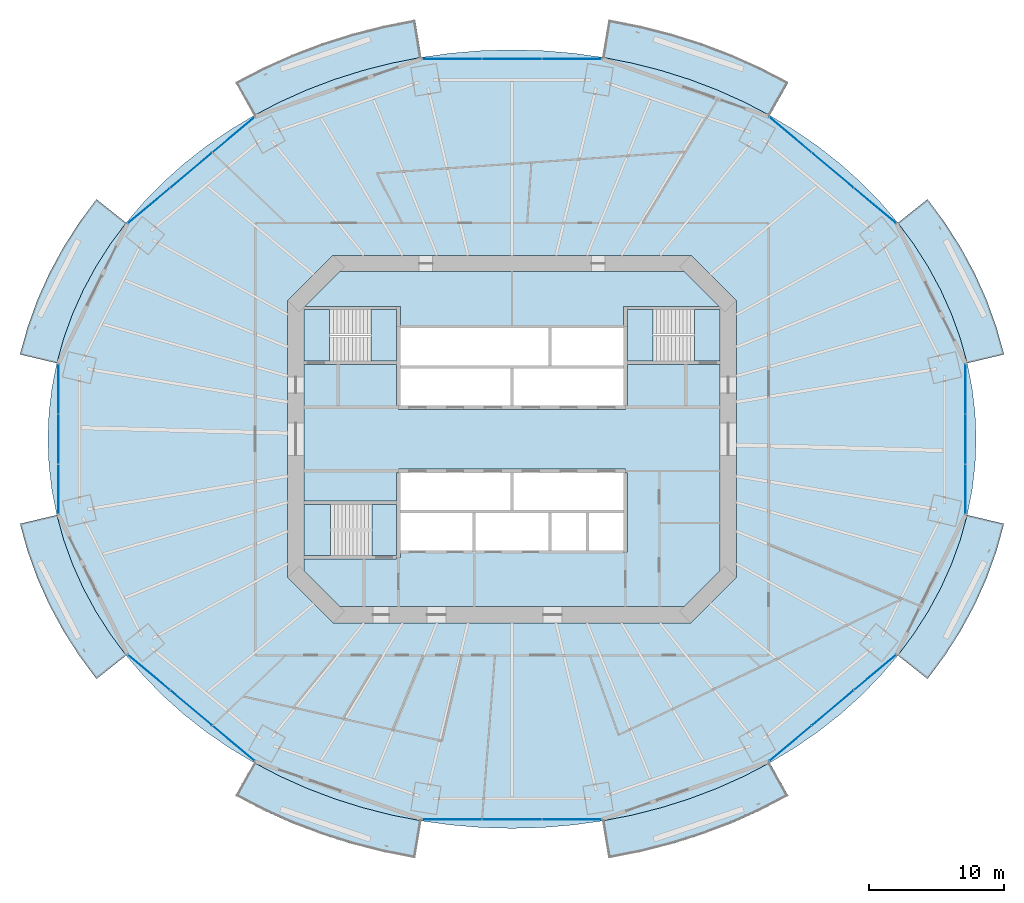
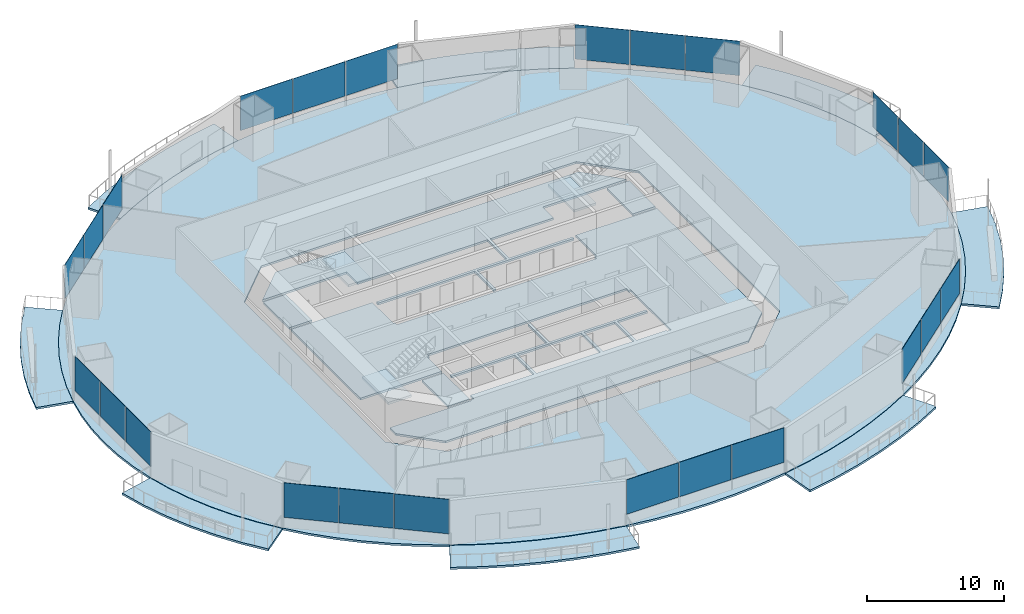
# One storey, part 12 of 22: 24 plates, 17 slabs, 11 elements without a shape of their own.
"""IFC4 building model written with IfcOpenShell, lengths in metres."""

from ifc_helpers import new_model, si_unit, direction, frame, origin, origin_2d, place, context, subcontext, project, spatial, polyline, rectangle, outline, extrude, material, layer, layer_set, type_object, element, aggregate, save


model = new_model("IFC4")

# Units and contexts
model_context = context("Model", 3, precision=1e-05, world=origin(), true_north=direction((0.0, 1.0)))
body_context = subcontext(model_context, "Body", "Model", "MODEL_VIEW")
ifc_project = project(units=[si_unit("LENGTHUNIT", "METRE"), si_unit("AREAUNIT", "SQUARE_METRE"), si_unit("VOLUMEUNIT", "CUBIC_METRE"), si_unit("PLANEANGLEUNIT", "RADIAN"), si_unit("MASSUNIT", "GRAM", prefix="KILO")], contexts=[model_context])

# Site, building, storey
site_placement = place(None, origin())
site = spatial("IfcSite", under=ifc_project, at=site_placement, CompositionType="ELEMENT")
building_placement = place(site_placement, origin())
building = spatial("IfcBuilding", under=site, at=building_placement, Name="Marenthal Gate Tower", CompositionType="ELEMENT")
storey_placement = place(building_placement, frame((0.0, 0.0, 107.699951171875)))
storey = spatial("IfcBuildingStorey", under=building, at=storey_placement, Name="L22", CompositionType="ELEMENT", Elevation=107.699951171875)

# Slabs
ifc_material_1 = material(Name="Concrete 40 MPa", Category="concrete")
ifc_layer_1 = layer(ifc_material_1, 0.179931640625)
ifc_layer_set_1 = layer_set([ifc_layer_1], Name="Balcony deck 180")
slab_type_1 = type_object("IfcSlabType", Name="Balcony deck 180", PredefinedType="USERDEFINED", material=ifc_layer_set_1)
slab_1_placement = place(storey_placement, frame((0.0, 0.0, -0.219970703125)))
element("IfcSlab", 1, at=slab_1_placement, inside=storey, type_object=slab_type_1, Name="Balcony deck L22 bay 1", ObjectType="BALCONY", PredefinedType="USERDEFINED", context=body_context, shape_type="SweptSolid", body=[
    extrude(outline(polyline([(33.68603515625, 5.6201171875), (33.17578125, 7.4560546875), (32.523193359375, 9.260009765625), (31.731689453125, 11.0244140625), (30.803955078125, 12.741455078125), (29.744384765625, 14.404052734375), (28.5576171875, 16.0048828125), (30.747802734375, 17.74951171875), (32.051025390625, 15.99169921875), (33.2177734375, 14.16064453125), (34.2421875, 12.26416015625), (35.118896484375, 10.310302734375), (35.843017578125, 8.30810546875), (36.41064453125, 6.266357421875), (33.68603515625, 5.6201171875)])), origin(), (0.0, 0.0, 1.0), 0.179931640625),
])
slab_2_placement = place(storey_placement, frame((0.0, 0.0, -0.219970703125)))
element("IfcSlab", 2, at=slab_2_placement, inside=storey, type_object=slab_type_1, Name="Balcony deck L22 bay 3", ObjectType="BALCONY", PredefinedType="USERDEFINED", context=body_context, shape_type="SweptSolid", body=[
    extrude(outline(polyline([(19.08154296875, 23.952880859375), (17.173095703125, 24.948486328125), (15.19091796875, 25.837158203125), (13.1435546875, 26.614990234375), (11.040283203125, 27.279296875), (8.889404296875, 27.826416015625), (6.70068359375, 28.25439453125), (7.161376953125, 31.016357421875), (9.50341796875, 30.558349609375), (11.806884765625, 29.97216796875), (14.0625, 29.260009765625), (16.260986328125, 28.424560546875), (18.393310546875, 27.468505859375), (20.450439453125, 26.3955078125), (19.08154296875, 23.952880859375)])), origin(), (0.0, 0.0, 1.0), 0.179931640625),
])
slab_3_placement = place(storey_placement, frame((0.0, 0.0, -0.219970703125)))
element("IfcSlab", 3, at=slab_3_placement, inside=storey, type_object=slab_type_1, Name="Balcony deck L22 bay 5", ObjectType="BALCONY", PredefinedType="USERDEFINED", context=body_context, shape_type="SweptSolid", body=[
    extrude(outline(polyline([(-6.70068359375, 28.25439453125), (-8.889404296875, 27.826416015625), (-11.040283203125, 27.279296875), (-13.1435546875, 26.614990234375), (-15.19091796875, 25.837158203125), (-17.173095703125, 24.948486328125), (-19.08154296875, 23.952880859375), (-20.450439453125, 26.3955078125), (-18.393310546875, 27.468505859375), (-16.260986328125, 28.424560546875), (-14.0625, 29.260009765625), (-11.806884765625, 29.97216796875), (-9.50341796875, 30.558349609375), (-7.161376953125, 31.016357421875), (-6.70068359375, 28.25439453125)])), origin(), (0.0, 0.0, 1.0), 0.179931640625),
])
slab_4_placement = place(storey_placement, frame((0.0, 0.0, -0.219970703125)))
element("IfcSlab", 4, at=slab_4_placement, inside=storey, type_object=slab_type_1, Name="Balcony deck L22 bay 7", ObjectType="BALCONY", PredefinedType="USERDEFINED", context=body_context, shape_type="SweptSolid", body=[
    extrude(outline(polyline([(-28.5576171875, 16.0048828125), (-29.744384765625, 14.404052734375), (-30.803955078125, 12.741455078125), (-31.731689453125, 11.0244140625), (-32.523193359375, 9.260009765625), (-33.17578125, 7.4560546875), (-33.68603515625, 5.6201171875), (-36.41064453125, 6.266357421875), (-35.843017578125, 8.30810546875), (-35.118896484375, 10.310302734375), (-34.2421875, 12.26416015625), (-33.2177734375, 14.16064453125), (-32.051025390625, 15.99169921875), (-30.747802734375, 17.74951171875), (-28.5576171875, 16.0048828125)])), origin(), (0.0, 0.0, 1.0), 0.179931640625),
])
slab_5_placement = place(storey_placement, frame((0.0, 0.0, -0.219970703125)))
element("IfcSlab", 5, at=slab_5_placement, inside=storey, type_object=slab_type_1, Name="Balcony deck L22 bay 9", ObjectType="BALCONY", PredefinedType="USERDEFINED", context=body_context, shape_type="SweptSolid", body=[
    extrude(outline(polyline([(-33.68603515625, -5.6201171875), (-33.17578125, -7.4560546875), (-32.523193359375, -9.260009765625), (-31.731689453125, -11.0244140625), (-30.803955078125, -12.741455078125), (-29.744384765625, -14.404052734375), (-28.5576171875, -16.0048828125), (-30.747802734375, -17.74951171875), (-32.051025390625, -15.99169921875), (-33.2177734375, -14.16064453125), (-34.2421875, -12.26416015625), (-35.118896484375, -10.310302734375), (-35.843017578125, -8.30810546875), (-36.41064453125, -6.266357421875), (-33.68603515625, -5.6201171875)])), origin(), (0.0, 0.0, 1.0), 0.179931640625),
])
slab_6_placement = place(storey_placement, frame((0.0, 0.0, -0.219970703125)))
element("IfcSlab", 6, at=slab_6_placement, inside=storey, type_object=slab_type_1, Name="Balcony deck L22 bay 11", ObjectType="BALCONY", PredefinedType="USERDEFINED", context=body_context, shape_type="SweptSolid", body=[
    extrude(outline(polyline([(-19.08154296875, -23.952880859375), (-17.173095703125, -24.948486328125), (-15.19091796875, -25.837158203125), (-13.1435546875, -26.614990234375), (-11.040283203125, -27.279296875), (-8.889404296875, -27.826416015625), (-6.70068359375, -28.25439453125), (-7.161376953125, -31.016357421875), (-9.50341796875, -30.558349609375), (-11.806884765625, -29.97216796875), (-14.0625, -29.260009765625), (-16.260986328125, -28.424560546875), (-18.393310546875, -27.468505859375), (-20.450439453125, -26.3955078125), (-19.08154296875, -23.952880859375)])), origin(), (0.0, 0.0, 1.0), 0.179931640625),
])
slab_7_placement = place(storey_placement, frame((0.0, 0.0, -0.219970703125)))
element("IfcSlab", 7, at=slab_7_placement, inside=storey, type_object=slab_type_1, Name="Balcony deck L22 bay 13", ObjectType="BALCONY", PredefinedType="USERDEFINED", context=body_context, shape_type="SweptSolid", body=[
    extrude(outline(polyline([(6.70068359375, -28.25439453125), (8.889404296875, -27.826416015625), (11.040283203125, -27.279296875), (13.1435546875, -26.614990234375), (15.19091796875, -25.837158203125), (17.173095703125, -24.948486328125), (19.08154296875, -23.952880859375), (20.450439453125, -26.3955078125), (18.393310546875, -27.468505859375), (16.260986328125, -28.424560546875), (14.0625, -29.260009765625), (11.806884765625, -29.97216796875), (9.50341796875, -30.558349609375), (7.161376953125, -31.016357421875), (6.70068359375, -28.25439453125)])), origin(), (0.0, 0.0, 1.0), 0.179931640625),
])
slab_8_placement = place(storey_placement, frame((0.0, 0.0, -0.219970703125)))
element("IfcSlab", 8, at=slab_8_placement, inside=storey, type_object=slab_type_1, Name="Balcony deck L22 bay 15", ObjectType="BALCONY", PredefinedType="USERDEFINED", context=body_context, shape_type="SweptSolid", body=[
    extrude(outline(polyline([(28.5576171875, -16.0048828125), (29.744384765625, -14.404052734375), (30.803955078125, -12.741455078125), (31.731689453125, -11.0244140625), (32.523193359375, -9.260009765625), (33.17578125, -7.4560546875), (33.68603515625, -5.6201171875), (36.41064453125, -6.266357421875), (35.843017578125, -8.30810546875), (35.118896484375, -10.310302734375), (34.2421875, -12.26416015625), (33.2177734375, -14.16064453125), (32.051025390625, -15.99169921875), (30.747802734375, -17.74951171875), (28.5576171875, -16.0048828125)])), origin(), (0.0, 0.0, 1.0), 0.179931640625),
])
ifc_material_2 = material(Name="Concrete 50 MPa", Category="concrete")
ifc_layer_2 = layer(ifc_material_2, 0.179931640625)
ifc_layer_set_2 = layer_set([ifc_layer_2], Name="Core floor slab 180")
slab_type_2 = type_object("IfcSlabType", Name="Core floor slab 180", PredefinedType="FLOOR", material=ifc_layer_set_2)
slab_9_placement = place(storey_placement, frame((0.0, 0.0, -0.179931640625)))
element("IfcSlab", 9, at=slab_9_placement, inside=storey, type_object=slab_type_2, Name="Core floor L22", PredefinedType="FLOOR", context=body_context, shape_type="SweptSolid", body=[
    extrude(outline(polyline([(15.39990234375, -9.75146484375), (12.75146484375, -12.39990234375), (-12.75146484375, -12.39990234375), (-15.39990234375, -9.75146484375), (-15.39990234375, -8.875), (-8.550048828125, -8.875), (-8.550048828125, -8.75), (-8.25, -8.75), (-8.25, -8.239990234375), (-5.60009765625, -8.239990234375), (-2.909912109375, -8.239990234375), (-2.909912109375, -5.4599609375), (-5.60009765625, -5.4599609375), (-8.25, -5.4599609375), (-8.25, -5.239990234375), (-5.60009765625, -5.239990234375), (-2.800048828125, -5.239990234375), (-0.110107421875, -5.239990234375), (-0.110107421875, -2.5), (0.110107421875, -2.5), (0.110107421875, -5.239990234375), (2.800048828125, -5.239990234375), (5.60009765625, -5.239990234375), (8.25, -5.239990234375), (8.25, -5.4599609375), (5.7099609375, -5.4599609375), (5.7099609375, -8.239990234375), (8.25, -8.239990234375), (8.25, -8.35009765625), (8.550048828125, -8.35009765625), (8.550048828125, -2.5), (8.39990234375, -2.5), (8.39990234375, -2.199951171875), (-8.39990234375, -2.199951171875), (-8.39990234375, -2.5), (-8.550048828125, -2.5), (-8.550048828125, -4.574951171875), (-15.39990234375, -4.574951171875), (-15.39990234375, 5.52490234375), (-8.550048828125, 5.52490234375), (-8.550048828125, 2.5), (-8.39990234375, 2.5), (-8.39990234375, 2.199951171875), (8.39990234375, 2.199951171875), (8.39990234375, 2.5), (8.550048828125, 2.5), (8.550048828125, 5.52490234375), (15.39990234375, 5.52490234375), (15.39990234375, -9.75146484375)]), holes=[polyline([(2.68994140625, -5.4599609375), (0.0, -5.4599609375), (-2.68994140625, -5.4599609375), (-2.68994140625, -8.239990234375), (0.0, -8.239990234375), (2.68994140625, -8.239990234375), (2.68994140625, -5.4599609375)]), polyline([(5.489990234375, -5.4599609375), (2.909912109375, -5.4599609375), (2.909912109375, -8.239990234375), (5.489990234375, -8.239990234375), (5.489990234375, -5.4599609375)])]), origin(), (0.0, 0.0, 1.0), 0.179931640625),
])
slab_10_placement = place(storey_placement, frame((0.0, 0.0, -0.179931640625)))
element("IfcSlab", 10, at=slab_10_placement, inside=storey, type_object=slab_type_2, Name="Core floor L22", PredefinedType="FLOOR", context=body_context, shape_type="SweptSolid", body=[
    extrude(outline(polyline([(15.39990234375, 5.77490234375), (13.5, 5.77490234375), (13.5, 9.574951171875), (15.39990234375, 9.574951171875), (15.39990234375, 5.77490234375)])), origin(), (0.0, 0.0, 1.0), 0.179931640625),
])
slab_11_placement = place(storey_placement, frame((0.0, 0.0, -0.179931640625)))
element("IfcSlab", 11, at=slab_11_placement, inside=storey, type_object=slab_type_2, Name="Core floor L22", PredefinedType="FLOOR", context=body_context, shape_type="SweptSolid", body=[
    extrude(outline(polyline([(12.75146484375, 12.39990234375), (15.326416015625, 9.824951171875), (8.550048828125, 9.824951171875), (8.25, 9.824951171875), (8.25, 8.35009765625), (8.25, 8.239990234375), (5.60009765625, 8.239990234375), (2.909912109375, 8.239990234375), (2.909912109375, 5.4599609375), (5.60009765625, 5.4599609375), (8.25, 5.4599609375), (8.25, 5.239990234375), (5.60009765625, 5.239990234375), (2.800048828125, 5.239990234375), (0.110107421875, 5.239990234375), (0.110107421875, 2.5), (-0.110107421875, 2.5), (-0.110107421875, 5.239990234375), (-2.800048828125, 5.239990234375), (-5.60009765625, 5.239990234375), (-8.25, 5.239990234375), (-8.25, 5.4599609375), (-5.60009765625, 5.4599609375), (-2.800048828125, 5.4599609375), (0.0, 5.4599609375), (2.68994140625, 5.4599609375), (2.68994140625, 8.239990234375), (0.0, 8.239990234375), (-2.800048828125, 8.239990234375), (-5.60009765625, 8.239990234375), (-8.25, 8.239990234375), (-8.25, 8.35009765625), (-8.25, 9.824951171875), (-8.550048828125, 9.824951171875), (-15.326416015625, 9.824951171875), (-12.75146484375, 12.39990234375), (12.75146484375, 12.39990234375)])), origin(), (0.0, 0.0, 1.0), 0.179931640625),
])
slab_12_placement = place(storey_placement, frame((0.0, 0.0, -0.179931640625)))
element("IfcSlab", 12, at=slab_12_placement, inside=storey, type_object=slab_type_2, Name="Core floor L22", PredefinedType="FLOOR", context=body_context, shape_type="SweptSolid", body=[
    extrude(outline(polyline([(-15.39990234375, 9.574951171875), (-13.5, 9.574951171875), (-13.5, 5.77490234375), (-15.39990234375, 5.77490234375), (-15.39990234375, 9.574951171875)])), origin(), (0.0, 0.0, 1.0), 0.179931640625),
])
slab_13_placement = place(storey_placement, frame((0.0, 0.0, -0.179931640625)))
element("IfcSlab", 13, at=slab_13_placement, inside=storey, type_object=slab_type_2, Name="Core floor L22", PredefinedType="FLOOR", context=body_context, shape_type="SweptSolid", body=[
    extrude(outline(polyline([(-8.550048828125, -8.625), (-10.35009765625, -8.625), (-10.35009765625, -4.824951171875), (-8.550048828125, -4.824951171875), (-8.550048828125, -8.625)])), origin(), (0.0, 0.0, 1.0), 0.179931640625),
])
ifc_material_3 = material(Name="Concrete 35 MPa", Category="concrete")
ifc_layer_3 = layer(ifc_material_3, 0.179931640625)
ifc_layer_set_3 = layer_set([ifc_layer_3], Name="Floor slab 180")
slab_type_3 = type_object("IfcSlabType", Name="Floor slab 180", PredefinedType="FLOOR", material=ifc_layer_set_3)
slab_14_placement = place(storey_placement, frame((0.0, 0.0, -0.179931640625)))
element("IfcSlab", 14, at=slab_14_placement, inside=storey, type_object=slab_type_3, Name="SL-L22-01", PredefinedType="FLOOR", context=body_context, shape_type="SweptSolid", body=[
    extrude(outline(polyline([(34.345947265625, 0.0), (34.2724609375, 1.884033203125), (34.05224609375, 3.76025390625), (33.68603515625, 5.6201171875), (33.17578125, 7.4560546875), (32.523193359375, 9.260009765625), (31.731689453125, 11.0244140625), (30.803955078125, 12.741455078125), (29.744384765625, 14.404052734375), (28.5576171875, 16.0048828125), (27.24853515625, 17.537109375), (25.82275390625, 18.994384765625), (24.286376953125, 20.370361328125), (22.64599609375, 21.658935546875), (20.908447265625, 22.85498046875), (19.08154296875, 23.952880859375), (17.173095703125, 24.948486328125), (15.19091796875, 25.837158203125), (13.1435546875, 26.614990234375), (11.040283203125, 27.279296875), (8.889404296875, 27.826416015625), (6.70068359375, 28.25439453125), (4.483154296875, 28.5615234375), (2.246337890625, 28.746337890625), (0.0, 28.80810546875), (-2.246337890625, 28.746337890625), (-4.483154296875, 28.5615234375), (-6.70068359375, 28.25439453125), (-8.889404296875, 27.826416015625), (-11.040283203125, 27.279296875), (-13.1435546875, 26.614990234375), (-15.19091796875, 25.837158203125), (-17.173095703125, 24.948486328125), (-19.08154296875, 23.952880859375), (-20.908447265625, 22.85498046875), (-22.64599609375, 21.658935546875), (-24.286376953125, 20.370361328125), (-25.82275390625, 18.994384765625), (-27.24853515625, 17.537109375), (-28.5576171875, 16.0048828125), (-29.744384765625, 14.404052734375), (-30.803955078125, 12.741455078125), (-31.731689453125, 11.0244140625), (-32.523193359375, 9.260009765625), (-33.17578125, 7.4560546875), (-33.68603515625, 5.6201171875), (-34.05224609375, 3.76025390625), (-34.2724609375, 1.884033203125), (-34.345947265625, 0.0), (-34.2724609375, -1.884033203125), (-34.05224609375, -3.76025390625), (-33.68603515625, -5.6201171875), (-33.17578125, -7.4560546875), (-32.523193359375, -9.260009765625), (-31.731689453125, -11.0244140625), (-30.803955078125, -12.741455078125), (-29.744384765625, -14.404052734375), (-28.5576171875, -16.0048828125), (-27.24853515625, -17.537109375), (-25.82275390625, -18.994384765625), (-24.286376953125, -20.370361328125), (-22.64599609375, -21.658935546875), (-20.908447265625, -22.85498046875), (-19.08154296875, -23.952880859375), (-17.173095703125, -24.948486328125), (-15.19091796875, -25.837158203125), (-13.1435546875, -26.614990234375), (-11.040283203125, -27.279296875), (-8.889404296875, -27.826416015625), (-6.70068359375, -28.25439453125), (-4.483154296875, -28.5615234375), (-2.246337890625, -28.746337890625), (0.0, -28.80810546875), (2.246337890625, -28.746337890625), (4.483154296875, -28.5615234375), (6.70068359375, -28.25439453125), (8.889404296875, -27.826416015625), (11.040283203125, -27.279296875), (13.1435546875, -26.614990234375), (15.19091796875, -25.837158203125), (17.173095703125, -24.948486328125), (19.08154296875, -23.952880859375), (20.908447265625, -22.85498046875), (22.64599609375, -21.658935546875), (24.286376953125, -20.370361328125), (25.82275390625, -18.994384765625), (27.24853515625, -17.537109375), (28.5576171875, -16.0048828125), (29.744384765625, -14.404052734375), (30.803955078125, -12.741455078125), (31.731689453125, -11.0244140625), (32.523193359375, -9.260009765625), (33.17578125, -7.4560546875), (33.68603515625, -5.6201171875), (34.05224609375, -3.76025390625), (34.2724609375, -1.884033203125), (34.345947265625, 0.0)]), holes=[polyline([(13.24853515625, -13.60009765625), (16.60009765625, -10.24853515625), (16.60009765625, 10.24853515625), (13.24853515625, 13.60009765625), (-13.24853515625, 13.60009765625), (-16.60009765625, 10.24853515625), (-16.60009765625, -10.24853515625), (-13.24853515625, -13.60009765625), (13.24853515625, -13.60009765625)])]), origin(), (0.0, 0.0, 1.0), 0.179931640625),
])

# Curtain wall, plates
ifc_material_4 = material(Name="Aluminium and glass", Category="aluminium")
curtain_wall_type = type_object("IfcCurtainWallType", Name="Curtain wall typical low", PredefinedType="NOTDEFINED", material=ifc_material_4)
curtain_wall_1_placement = place(storey_placement, origin())
curtain_wall_1 = element("IfcCurtainWall", 15, at=curtain_wall_1_placement, inside=storey, type_object=curtain_wall_type, Name="Curtain wall L22 bay 2", PredefinedType="NOTDEFINED")
ifc_material_5 = material(Name="Glass, laminated insulating unit", Category="glass")
ifc_layer_4 = layer(ifc_material_5, 0.030029296875)
ifc_layer_set_4 = layer_set([ifc_layer_4], Name="Glass panel 30 typical low")
plate_type = type_object("IfcPlateType", Name="Glass panel 30 typical low", PredefinedType="CURTAIN_PANEL", material=ifc_layer_set_4)
plate_1_placement = place(storey_placement, frame((26.86865234375, 17.270263671875, 0.89990234375), z_axis=(0.0, 0.0, 1.0), x_axis=(-0.766388728972, 0.642377082487, 0.0)))
plate_1 = element("IfcPlate", 16, at=plate_1_placement, type_object=plate_type, Name="Glass panel L22 bay 2.1", PredefinedType="CURTAIN_PANEL", context=body_context, shape_type="SweptSolid", body=[
    extrude(rectangle(XDim=4.027099609375, YDim=0.030029296875, at=origin_2d()), origin(), (0.0, 0.0, 1.0), 3.070068359375),
])
plate_2_placement = place(storey_placement, frame((23.736328125, 19.895751953125, 0.89990234375), z_axis=(0.0, 0.0, 1.0), x_axis=(-0.766388728972, 0.642377082487, 0.0)))
plate_2 = element("IfcPlate", 17, at=plate_2_placement, type_object=plate_type, Name="Glass panel L22 bay 2.2", PredefinedType="CURTAIN_PANEL", context=body_context, shape_type="SweptSolid", body=[
    extrude(rectangle(XDim=4.027099609375, YDim=0.030029296875, at=origin_2d()), origin(), (0.0, 0.0, 1.0), 3.070068359375),
])
plate_3_placement = place(storey_placement, frame((20.60400390625, 22.521240234375, 0.89990234375), z_axis=(0.0, 0.0, 1.0), x_axis=(-0.766388728972, 0.642377082487, 0.0)))
plate_3 = element("IfcPlate", 18, at=plate_3_placement, type_object=plate_type, Name="Glass panel L22 bay 2.3", PredefinedType="CURTAIN_PANEL", context=body_context, shape_type="SweptSolid", body=[
    extrude(rectangle(XDim=4.027099609375, YDim=0.030029296875, at=origin_2d()), origin(), (0.0, 0.0, 1.0), 3.070068359375),
])
aggregate(curtain_wall_1, [plate_1, plate_2, plate_3])

curtain_wall_2_placement = place(storey_placement, origin())
curtain_wall_2 = element("IfcCurtainWall", 19, at=curtain_wall_2_placement, inside=storey, type_object=curtain_wall_type, Name="Curtain wall L22 bay 4", PredefinedType="NOTDEFINED")
plate_4_placement = place(storey_placement, frame((4.431396484375, 28.13671875, 0.89990234375), z_axis=(0.0, 0.0, 1.0), x_axis=(-1.0, 0.0, 0.0)))
plate_4 = element("IfcPlate", 20, at=plate_4_placement, type_object=plate_type, Name="Glass panel L22 bay 4.1", PredefinedType="CURTAIN_PANEL", context=body_context, shape_type="SweptSolid", body=[
    extrude(rectangle(XDim=4.37158203125, YDim=0.030029296875, at=origin_2d()), origin(), (0.0, 0.0, 1.0), 3.070068359375),
])
plate_5_placement = place(storey_placement, frame((0.0, 28.13671875, 0.89990234375), z_axis=(0.0, 0.0, 1.0), x_axis=(-1.0, 0.0, 0.0)))
plate_5 = element("IfcPlate", 21, at=plate_5_placement, type_object=plate_type, Name="Glass panel L22 bay 4.2", PredefinedType="CURTAIN_PANEL", context=body_context, shape_type="SweptSolid", body=[
    extrude(rectangle(XDim=4.371337890625, YDim=0.030029296875, at=origin_2d()), origin(), (0.0, 0.0, 1.0), 3.070068359375),
])
plate_6_placement = place(storey_placement, frame((-4.431396484375, 28.13671875, 0.89990234375), z_axis=(0.0, 0.0, 1.0), x_axis=(-1.0, 0.0, 0.0)))
plate_6 = element("IfcPlate", 22, at=plate_6_placement, type_object=plate_type, Name="Glass panel L22 bay 4.3", PredefinedType="CURTAIN_PANEL", context=body_context, shape_type="SweptSolid", body=[
    extrude(rectangle(XDim=4.37158203125, YDim=0.030029296875, at=origin_2d()), origin(), (0.0, 0.0, 1.0), 3.070068359375),
])
aggregate(curtain_wall_2, [plate_4, plate_5, plate_6])

curtain_wall_3_placement = place(storey_placement, origin())
curtain_wall_3 = element("IfcCurtainWall", 23, at=curtain_wall_3_placement, inside=storey, type_object=curtain_wall_type, Name="Curtain wall L22 bay 6", PredefinedType="NOTDEFINED")
plate_7_placement = place(storey_placement, frame((-20.60400390625, 22.521240234375, 0.89990234375), z_axis=(0.0, 0.0, 1.0), x_axis=(-0.766388728972, -0.642377082487, 0.0)))
plate_7 = element("IfcPlate", 24, at=plate_7_placement, type_object=plate_type, Name="Glass panel L22 bay 6.1", PredefinedType="CURTAIN_PANEL", context=body_context, shape_type="SweptSolid", body=[
    extrude(rectangle(XDim=4.027099609375, YDim=0.030029296875, at=origin_2d()), origin(), (0.0, 0.0, 1.0), 3.070068359375),
])
plate_8_placement = place(storey_placement, frame((-23.736328125, 19.895751953125, 0.89990234375), z_axis=(0.0, 0.0, 1.0), x_axis=(-0.766388728972, -0.642377082487, 0.0)))
plate_8 = element("IfcPlate", 25, at=plate_8_placement, type_object=plate_type, Name="Glass panel L22 bay 6.2", PredefinedType="CURTAIN_PANEL", context=body_context, shape_type="SweptSolid", body=[
    extrude(rectangle(XDim=4.027099609375, YDim=0.030029296875, at=origin_2d()), origin(), (0.0, 0.0, 1.0), 3.070068359375),
])
plate_9_placement = place(storey_placement, frame((-26.86865234375, 17.270263671875, 0.89990234375), z_axis=(0.0, 0.0, 1.0), x_axis=(-0.766388728972, -0.642377082487, 0.0)))
plate_9 = element("IfcPlate", 26, at=plate_9_placement, type_object=plate_type, Name="Glass panel L22 bay 6.3", PredefinedType="CURTAIN_PANEL", context=body_context, shape_type="SweptSolid", body=[
    extrude(rectangle(XDim=4.027099609375, YDim=0.030029296875, at=origin_2d()), origin(), (0.0, 0.0, 1.0), 3.070068359375),
])
aggregate(curtain_wall_3, [plate_7, plate_8, plate_9])

curtain_wall_4_placement = place(storey_placement, origin())
curtain_wall_4 = element("IfcCurtainWall", 27, at=curtain_wall_4_placement, inside=storey, type_object=curtain_wall_type, Name="Curtain wall L22 bay 8", PredefinedType="NOTDEFINED")
plate_10_placement = place(storey_placement, frame((-33.568359375, 3.711181640625, 0.89990234375), z_axis=(0.0, 0.0, 1.0), x_axis=(0.0, -1.0, 0.0)))
plate_10 = element("IfcPlate", 28, at=plate_10_placement, type_object=plate_type, Name="Glass panel L22 bay 8.1", PredefinedType="CURTAIN_PANEL", context=body_context, shape_type="SweptSolid", body=[
    extrude(rectangle(XDim=3.651123046875, YDim=0.030029296875, at=origin_2d()), origin(), (0.0, 0.0, 1.0), 3.070068359375),
])
plate_11_placement = place(storey_placement, frame((-33.568359375, 0.0, 0.89990234375), z_axis=(0.0, 0.0, 1.0), x_axis=(0.0, -1.0, 0.0)))
plate_11 = element("IfcPlate", 29, at=plate_11_placement, type_object=plate_type, Name="Glass panel L22 bay 8.2", PredefinedType="CURTAIN_PANEL", context=body_context, shape_type="SweptSolid", body=[
    extrude(rectangle(XDim=3.651123046875, YDim=0.030029296875, at=origin_2d()), origin(), (0.0, 0.0, 1.0), 3.070068359375),
])
plate_12_placement = place(storey_placement, frame((-33.568359375, -3.711181640625, 0.89990234375), z_axis=(0.0, 0.0, 1.0), x_axis=(0.0, -1.0, 0.0)))
plate_12 = element("IfcPlate", 30, at=plate_12_placement, type_object=plate_type, Name="Glass panel L22 bay 8.3", PredefinedType="CURTAIN_PANEL", context=body_context, shape_type="SweptSolid", body=[
    extrude(rectangle(XDim=3.651123046875, YDim=0.030029296875, at=origin_2d()), origin(), (0.0, 0.0, 1.0), 3.070068359375),
])
aggregate(curtain_wall_4, [plate_10, plate_11, plate_12])

curtain_wall_5_placement = place(storey_placement, origin())
curtain_wall_5 = element("IfcCurtainWall", 31, at=curtain_wall_5_placement, inside=storey, type_object=curtain_wall_type, Name="Curtain wall L22 bay 10", PredefinedType="NOTDEFINED")
plate_13_placement = place(storey_placement, frame((-26.86865234375, -17.270263671875, 0.89990234375), z_axis=(0.0, 0.0, 1.0), x_axis=(0.766388728972, -0.642377082487, 0.0)))
plate_13 = element("IfcPlate", 32, at=plate_13_placement, type_object=plate_type, Name="Glass panel L22 bay 10.1", PredefinedType="CURTAIN_PANEL", context=body_context, shape_type="SweptSolid", body=[
    extrude(rectangle(XDim=4.027099609375, YDim=0.030029296875, at=origin_2d()), origin(), (0.0, 0.0, 1.0), 3.070068359375),
])
plate_14_placement = place(storey_placement, frame((-23.736328125, -19.895751953125, 0.89990234375), z_axis=(0.0, 0.0, 1.0), x_axis=(0.766388728972, -0.642377082487, 0.0)))
plate_14 = element("IfcPlate", 33, at=plate_14_placement, type_object=plate_type, Name="Glass panel L22 bay 10.2", PredefinedType="CURTAIN_PANEL", context=body_context, shape_type="SweptSolid", body=[
    extrude(rectangle(XDim=4.027099609375, YDim=0.030029296875, at=origin_2d()), origin(), (0.0, 0.0, 1.0), 3.070068359375),
])
plate_15_placement = place(storey_placement, frame((-20.60400390625, -22.521240234375, 0.89990234375), z_axis=(0.0, 0.0, 1.0), x_axis=(0.766388728972, -0.642377082487, 0.0)))
plate_15 = element("IfcPlate", 34, at=plate_15_placement, type_object=plate_type, Name="Glass panel L22 bay 10.3", PredefinedType="CURTAIN_PANEL", context=body_context, shape_type="SweptSolid", body=[
    extrude(rectangle(XDim=4.027099609375, YDim=0.030029296875, at=origin_2d()), origin(), (0.0, 0.0, 1.0), 3.070068359375),
])
aggregate(curtain_wall_5, [plate_13, plate_14, plate_15])

curtain_wall_6_placement = place(storey_placement, origin())
curtain_wall_6 = element("IfcCurtainWall", 35, at=curtain_wall_6_placement, inside=storey, type_object=curtain_wall_type, Name="Curtain wall L22 bay 12", PredefinedType="NOTDEFINED")
plate_16_placement = place(storey_placement, frame((-4.431396484375, -28.13671875, 0.89990234375), z_axis=(0.0, 0.0, 1.0), x_axis=(1.0, 0.0, 0.0)))
plate_16 = element("IfcPlate", 36, at=plate_16_placement, type_object=plate_type, Name="Glass panel L22 bay 12.1", PredefinedType="CURTAIN_PANEL", context=body_context, shape_type="SweptSolid", body=[
    extrude(rectangle(XDim=4.37158203125, YDim=0.030029296875, at=origin_2d()), origin(), (0.0, 0.0, 1.0), 3.070068359375),
])
plate_17_placement = place(storey_placement, frame((0.0, -28.13671875, 0.89990234375), z_axis=(0.0, 0.0, 1.0), x_axis=(1.0, 0.0, 0.0)))
plate_17 = element("IfcPlate", 37, at=plate_17_placement, type_object=plate_type, Name="Glass panel L22 bay 12.2", PredefinedType="CURTAIN_PANEL", context=body_context, shape_type="SweptSolid", body=[
    extrude(rectangle(XDim=4.371337890625, YDim=0.030029296875, at=origin_2d()), origin(), (0.0, 0.0, 1.0), 3.070068359375),
])
plate_18_placement = place(storey_placement, frame((4.431396484375, -28.13671875, 0.89990234375), z_axis=(0.0, 0.0, 1.0), x_axis=(1.0, 0.0, 0.0)))
plate_18 = element("IfcPlate", 38, at=plate_18_placement, type_object=plate_type, Name="Glass panel L22 bay 12.3", PredefinedType="CURTAIN_PANEL", context=body_context, shape_type="SweptSolid", body=[
    extrude(rectangle(XDim=4.37158203125, YDim=0.030029296875, at=origin_2d()), origin(), (0.0, 0.0, 1.0), 3.070068359375),
])
aggregate(curtain_wall_6, [plate_16, plate_17, plate_18])

curtain_wall_7_placement = place(storey_placement, origin())
curtain_wall_7 = element("IfcCurtainWall", 39, at=curtain_wall_7_placement, inside=storey, type_object=curtain_wall_type, Name="Curtain wall L22 bay 14", PredefinedType="NOTDEFINED")
plate_19_placement = place(storey_placement, frame((20.60400390625, -22.521240234375, 0.89990234375), z_axis=(0.0, 0.0, 1.0), x_axis=(0.766388728972, 0.642377082487, 0.0)))
plate_19 = element("IfcPlate", 40, at=plate_19_placement, type_object=plate_type, Name="Glass panel L22 bay 14.1", PredefinedType="CURTAIN_PANEL", context=body_context, shape_type="SweptSolid", body=[
    extrude(rectangle(XDim=4.027099609375, YDim=0.030029296875, at=origin_2d()), origin(), (0.0, 0.0, 1.0), 3.070068359375),
])
plate_20_placement = place(storey_placement, frame((23.736328125, -19.895751953125, 0.89990234375), z_axis=(0.0, 0.0, 1.0), x_axis=(0.766388728972, 0.642377082487, 0.0)))
plate_20 = element("IfcPlate", 41, at=plate_20_placement, type_object=plate_type, Name="Glass panel L22 bay 14.2", PredefinedType="CURTAIN_PANEL", context=body_context, shape_type="SweptSolid", body=[
    extrude(rectangle(XDim=4.027099609375, YDim=0.030029296875, at=origin_2d()), origin(), (0.0, 0.0, 1.0), 3.070068359375),
])
plate_21_placement = place(storey_placement, frame((26.86865234375, -17.270263671875, 0.89990234375), z_axis=(0.0, 0.0, 1.0), x_axis=(0.766388728972, 0.642377082487, 0.0)))
plate_21 = element("IfcPlate", 42, at=plate_21_placement, type_object=plate_type, Name="Glass panel L22 bay 14.3", PredefinedType="CURTAIN_PANEL", context=body_context, shape_type="SweptSolid", body=[
    extrude(rectangle(XDim=4.027099609375, YDim=0.030029296875, at=origin_2d()), origin(), (0.0, 0.0, 1.0), 3.070068359375),
])
aggregate(curtain_wall_7, [plate_19, plate_20, plate_21])

curtain_wall_8_placement = place(storey_placement, origin())
curtain_wall_8 = element("IfcCurtainWall", 43, at=curtain_wall_8_placement, inside=storey, type_object=curtain_wall_type, Name="Curtain wall L22 bay 16", PredefinedType="NOTDEFINED")
plate_22_placement = place(storey_placement, frame((33.568359375, -3.711181640625, 0.89990234375), z_axis=(0.0, 0.0, 1.0), x_axis=(0.0, 1.0, 0.0)))
plate_22 = element("IfcPlate", 44, at=plate_22_placement, type_object=plate_type, Name="Glass panel L22 bay 16.1", PredefinedType="CURTAIN_PANEL", context=body_context, shape_type="SweptSolid", body=[
    extrude(rectangle(XDim=3.651123046875, YDim=0.030029296875, at=origin_2d()), origin(), (0.0, 0.0, 1.0), 3.070068359375),
])
plate_23_placement = place(storey_placement, frame((33.568359375, 0.0, 0.89990234375), z_axis=(0.0, 0.0, 1.0), x_axis=(0.0, 1.0, 0.0)))
plate_23 = element("IfcPlate", 45, at=plate_23_placement, type_object=plate_type, Name="Glass panel L22 bay 16.2", PredefinedType="CURTAIN_PANEL", context=body_context, shape_type="SweptSolid", body=[
    extrude(rectangle(XDim=3.651123046875, YDim=0.030029296875, at=origin_2d()), origin(), (0.0, 0.0, 1.0), 3.070068359375),
])
plate_24_placement = place(storey_placement, frame((33.568359375, 3.711181640625, 0.89990234375), z_axis=(0.0, 0.0, 1.0), x_axis=(0.0, 1.0, 0.0)))
plate_24 = element("IfcPlate", 46, at=plate_24_placement, type_object=plate_type, Name="Glass panel L22 bay 16.3", PredefinedType="CURTAIN_PANEL", context=body_context, shape_type="SweptSolid", body=[
    extrude(rectangle(XDim=3.651123046875, YDim=0.030029296875, at=origin_2d()), origin(), (0.0, 0.0, 1.0), 3.070068359375),
])
aggregate(curtain_wall_8, [plate_22, plate_23, plate_24])

# Stair, slab
ifc_material_6 = material(Name="Concrete 40 MPa", Category="concrete")
stair_type = type_object("IfcStairType", Name="Exit stair 1800", PredefinedType="HALF_TURN_STAIR", material=ifc_material_6)
stair_1_placement = place(storey_placement, origin())
stair_1 = element("IfcStair", 47, at=stair_1_placement, inside=storey, type_object=stair_type, Name="Stair ST1", PredefinedType="HALF_TURN_STAIR")
ifc_material_7 = material(Name="Concrete 40 MPa", Category="concrete")
ifc_layer_5 = layer(ifc_material_7, 0.199951171875)
ifc_layer_set_5 = layer_set([ifc_layer_5], Name="Stair landing 200")
slab_type_4 = type_object("IfcSlabType", Name="Stair landing 200", PredefinedType="LANDING", material=ifc_layer_set_5)
slab_15_placement = place(storey_placement, frame((0.0, 0.0, 1.875)))
slab_15 = element("IfcSlab", 48, at=slab_15_placement, type_object=slab_type_4, Name="ST1 landing 1", PredefinedType="LANDING", context=body_context, shape_type="SweptSolid", body=[
    extrude(outline(polyline([(-10.419921875, 5.77490234375), (-8.550048828125, 5.77490234375), (-8.550048828125, 9.574951171875), (-10.419921875, 9.574951171875), (-10.419921875, 5.77490234375)])), origin(), (0.0, 0.0, 1.0), 0.199951171875),
])
aggregate(stair_1, [slab_15])

stair_2_placement = place(storey_placement, origin())
stair_2 = element("IfcStair", 49, at=stair_2_placement, inside=storey, type_object=stair_type, Name="Stair ST2", PredefinedType="HALF_TURN_STAIR")
slab_16_placement = place(storey_placement, frame((0.0, 0.0, 1.875)))
slab_16 = element("IfcSlab", 50, at=slab_16_placement, type_object=slab_type_4, Name="ST2 landing 1", PredefinedType="LANDING", context=body_context, shape_type="SweptSolid", body=[
    extrude(outline(polyline([(-15.39990234375, -8.625), (-13.429931640625, -8.625), (-13.429931640625, -4.824951171875), (-15.39990234375, -4.824951171875), (-15.39990234375, -8.625)])), origin(), (0.0, 0.0, 1.0), 0.199951171875),
])
aggregate(stair_2, [slab_16])

stair_3_placement = place(storey_placement, origin())
stair_3 = element("IfcStair", 51, at=stair_3_placement, inside=storey, type_object=stair_type, Name="Stair ST3", PredefinedType="HALF_TURN_STAIR")
slab_17_placement = place(storey_placement, frame((0.0, 0.0, 1.875)))
slab_17 = element("IfcSlab", 52, at=slab_17_placement, type_object=slab_type_4, Name="ST3 landing 1", PredefinedType="LANDING", context=body_context, shape_type="SweptSolid", body=[
    extrude(outline(polyline([(8.550048828125, 5.77490234375), (10.419921875, 5.77490234375), (10.419921875, 9.574951171875), (8.550048828125, 9.574951171875), (8.550048828125, 5.77490234375)])), origin(), (0.0, 0.0, 1.0), 0.199951171875),
])
aggregate(stair_3, [slab_17])

save(model, "model.ifc")
